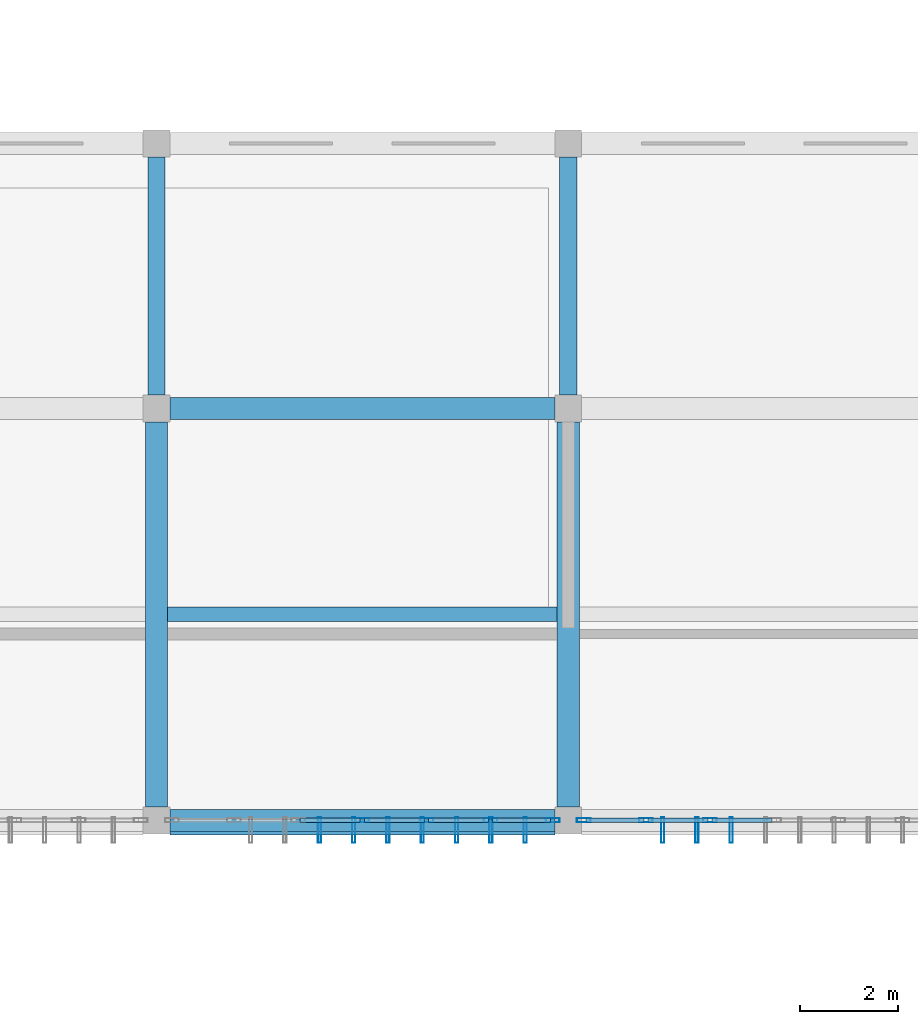
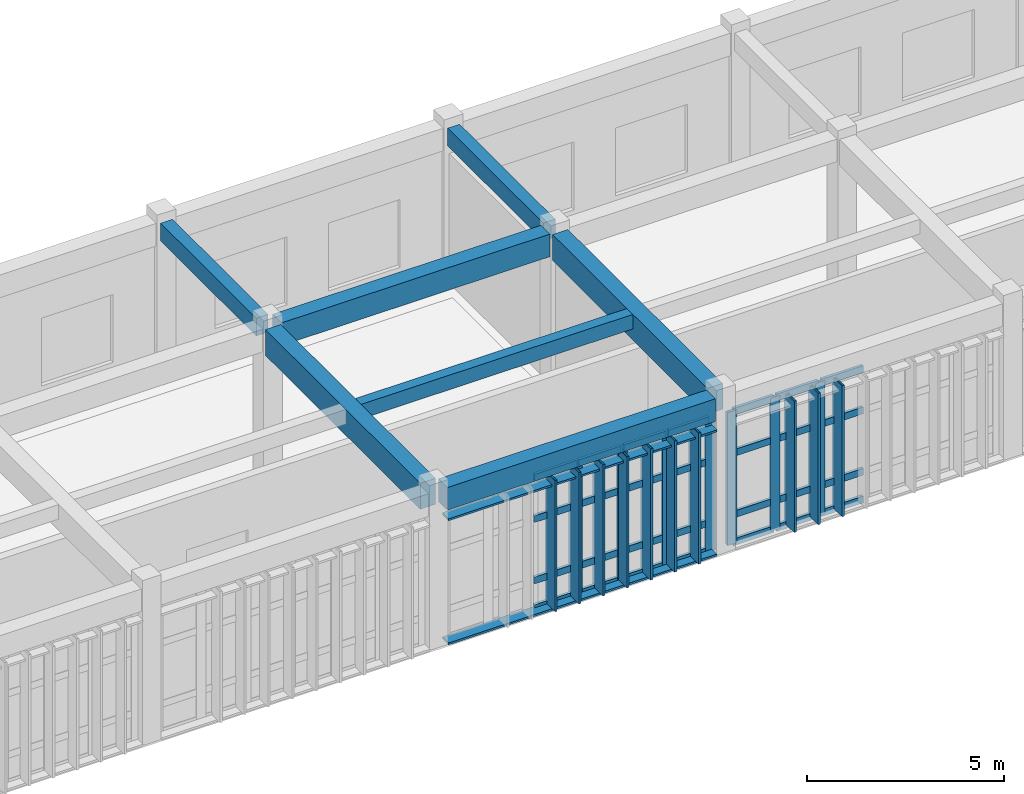
# One storey, part 46 of 106: 47 members, 7 beams, 2 elements without a shape of their own.
"""IFC4 building model written with IfcOpenShell, lengths in metres."""

from ifc_helpers import new_model, si_unit, direction, frame, origin, origin_2d, place, context, subcontext, project, spatial, rectangle, hollow_rectangle, extrude, material, layer, layer_set, material_profile, profile_set, type_object, element, aggregate, save


model = new_model("IFC4")

# Units and contexts
model_context = context("Model", 3, precision=1e-05, world=origin(), true_north=direction((0.0, 1.0)))
body_context = subcontext(model_context, "Body", "Model", "MODEL_VIEW")
ifc_project = project(units=[si_unit("LENGTHUNIT", "METRE"), si_unit("AREAUNIT", "SQUARE_METRE"), si_unit("VOLUMEUNIT", "CUBIC_METRE"), si_unit("PLANEANGLEUNIT", "RADIAN"), si_unit("MASSUNIT", "GRAM", prefix="KILO")], contexts=[model_context])

# Site, building, storey
site_placement = place(None, origin())
site = spatial("IfcSite", under=ifc_project, at=site_placement, CompositionType="ELEMENT")
building_placement = place(site_placement, origin())
building = spatial("IfcBuilding", under=site, at=building_placement, Name="Krzemoval Escarpment Law Courts", CompositionType="ELEMENT")
storey_placement = place(building_placement, frame((0.0, 0.0, 5.10009765625)))
storey = spatial("IfcBuildingStorey", under=building, at=storey_placement, Name="L01", CompositionType="ELEMENT", Elevation=5.10009765625)

# Beams
ifc_material_1 = material(Name="Concrete C40/50", Category="concrete")
ifc_material_profile_1 = material_profile(ifc_material_1, rectangle(XDim=0.35009765625, YDim=0.550048828125, at=origin_2d()), Name="RCB 350x550")
ifc_profile_set_1 = profile_set([ifc_material_profile_1], Name="Concrete C40/50")
beam_type_1 = type_object("IfcBeamType", Name="BM-RC-350x550", PredefinedType="BEAM", material=ifc_profile_set_1)
for number, where, z_axis, x_axis, name in (
    (1, (84.0, 108.27490234375, 4.544921875), (0.0, 1.0, 0.0), (-1.0, 0.0, 0.0), "Beam FG-L01-1481"),
    (2, (92.39990234375, 108.27490234375, 4.544921875), (0.0, 1.0, 0.0), (-1.0, 0.0, 0.0), "Beam FG-L01-1487"),
):
    element("IfcBeam", number, at=place(storey_placement, frame(where, z_axis=z_axis, x_axis=x_axis)), inside=storey, type_object=beam_type_1, Name=name, PredefinedType="BEAM", context=body_context, shape_type="SweptSolid", body=[
        extrude(rectangle(XDim=0.35009765625, YDim=0.550048828125, at=origin_2d()), origin(), (0.0, 0.0, 1.0), 4.85009765625),
    ])
ifc_material_2 = material(Name="Concrete C40/50", Category="concrete")
ifc_material_profile_2 = material_profile(ifc_material_2, rectangle(XDim=0.449951171875, YDim=0.699951171875, at=origin_2d()), Name="RCB 450x700")
ifc_profile_set_2 = profile_set([ifc_material_profile_2], Name="Concrete C40/50")
beam_type_2 = type_object("IfcBeamType", Name="BM-RC-450x700", PredefinedType="BEAM", material=ifc_profile_set_2)
for number, where, z_axis, x_axis, name in (
    (3, (84.27490234375, 99.60009765625, 4.469970703125), (1.0, 0.0, 0.0), (0.0, 1.0, 0.0), "Beam FG-L01-1309"),
    (4, (84.27490234375, 108.0, 4.469970703125), (1.0, 0.0, 0.0), (0.0, 1.0, 0.0), "Beam FG-L01-1328"),
):
    element("IfcBeam", number, at=place(storey_placement, frame(where, z_axis=z_axis, x_axis=x_axis)), inside=storey, type_object=beam_type_2, Name=name, PredefinedType="BEAM", context=body_context, shape_type="SweptSolid", body=[
        extrude(rectangle(XDim=0.449951171875, YDim=0.699951171875, at=origin_2d()), origin(), (0.0, 0.0, 1.0), 7.85009765625),
    ])
ifc_material_3 = material(Name="Concrete C40/50", Category="concrete")
ifc_material_profile_3 = material_profile(ifc_material_3, rectangle(XDim=0.449951171875, YDim=0.800048828125, at=origin_2d()), Name="RCB 450x800")
ifc_profile_set_3 = profile_set([ifc_material_profile_3], Name="Concrete C40/50")
beam_type_3 = type_object("IfcBeamType", Name="BM-RC-450x800", PredefinedType="BEAM", material=ifc_profile_set_3)
for number, where, z_axis, x_axis, name in (
    (5, (84.0, 99.875, 4.419921875), (0.0, 1.0, 0.0), (-1.0, 0.0, 0.0), "Beam FG-L01-1480"),
    (6, (92.39990234375, 99.875, 4.419921875), (0.0, 1.0, 0.0), (-1.0, 0.0, 0.0), "Beam FG-L01-1486"),
):
    element("IfcBeam", number, at=place(storey_placement, frame(where, z_axis=z_axis, x_axis=x_axis)), inside=storey, type_object=beam_type_3, Name=name, PredefinedType="BEAM", context=body_context, shape_type="SweptSolid", body=[
        extrude(rectangle(XDim=0.449951171875, YDim=0.800048828125, at=origin_2d()), origin(), (0.0, 0.0, 1.0), 7.85009765625),
    ])

# Curtain wall, members
ifc_material_4 = material(Name="Aluminium 6063-T6", Category="aluminium")
ifc_layer = layer(ifc_material_4, 0.280029296875)
ifc_layer_set = layer_set([ifc_layer], Name="Aluminium 6063-T6")
curtain_wall_type = type_object("IfcCurtainWallType", Name="CW-HALL-5100", PredefinedType="USERDEFINED", material=ifc_layer_set)
curtain_wall_1_placement = place(storey_placement, origin())
curtain_wall_1 = element("IfcCurtainWall", 7, at=curtain_wall_1_placement, inside=storey, type_object=curtain_wall_type, Name="Unitised Curtain Wall FCW-L01-049", ObjectType="UNITISED_CURTAIN_WALL", PredefinedType="USERDEFINED")
ifc_material_5 = material(Name="Aluminium 6063-T6", Category="aluminium")
ifc_material_profile_4 = material_profile(ifc_material_5, hollow_rectangle(XDim=0.0849609375, YDim=0.280029296875, WallThickness=0.005615234375, at=origin_2d()), Name="ALU M85x280")
ifc_profile_set_4 = profile_set([ifc_material_profile_4], Name="Aluminium 6063-T6")
member_type_1 = type_object("IfcMemberType", Name="CWM-85x280", PredefinedType="MULLION", material=ifc_profile_set_4)
member_1_placement = place(storey_placement, frame((95.291748046875, 99.60009765625, 0.0), z_axis=(0.0, 0.0, 1.0), x_axis=(0.0, -1.0, 0.0)))
member_1 = element("IfcMember", 8, at=member_1_placement, type_object=member_type_1, Name="FCW-L01-049 mullion 5", PredefinedType="MULLION", context=body_context, shape_type="SweptSolid", body=[
    extrude(hollow_rectangle(XDim=0.0849609375, YDim=0.280029296875, WallThickness=0.005615234375, at=origin_2d()), origin(), (0.0, 0.0, 1.0), 4.119873046875),
])
member_2_placement = place(storey_placement, frame((93.9833984375, 99.60009765625, 0.0), z_axis=(0.0, 0.0, 1.0), x_axis=(0.0, -1.0, 0.0)))
member_2 = element("IfcMember", 9, at=member_2_placement, type_object=member_type_1, Name="FCW-L01-049 mullion 6", PredefinedType="MULLION", context=body_context, shape_type="SweptSolid", body=[
    extrude(hollow_rectangle(XDim=0.0849609375, YDim=0.280029296875, WallThickness=0.005615234375, at=origin_2d()), origin(), (0.0, 0.0, 1.0), 4.119873046875),
])
member_3_placement = place(storey_placement, frame((92.717529296875, 99.60009765625, 0.0), z_axis=(0.0, 0.0, 1.0), x_axis=(0.0, -1.0, 0.0)))
member_3 = element("IfcMember", 10, at=member_3_placement, type_object=member_type_1, Name="FCW-L01-049 mullion 7", PredefinedType="MULLION", context=body_context, shape_type="SweptSolid", body=[
    extrude(hollow_rectangle(XDim=0.0849609375, YDim=0.280029296875, WallThickness=0.005615234375, at=origin_2d()), origin(), (0.0, 0.0, 1.0), 4.119873046875),
])

curtain_wall_2_placement = place(storey_placement, origin())
curtain_wall_2 = element("IfcCurtainWall", 11, at=curtain_wall_2_placement, inside=storey, type_object=curtain_wall_type, Name="Unitised Curtain Wall FCW-L01-050", ObjectType="UNITISED_CURTAIN_WALL", PredefinedType="USERDEFINED")
member_4_placement = place(storey_placement, frame((92.08251953125, 99.60009765625, 0.0), z_axis=(0.0, 0.0, 1.0), x_axis=(0.0, -1.0, 0.0)))
member_4 = element("IfcMember", 12, at=member_4_placement, type_object=member_type_1, Name="FCW-L01-050 mullion 1", PredefinedType="MULLION", context=body_context, shape_type="SweptSolid", body=[
    extrude(hollow_rectangle(XDim=0.0849609375, YDim=0.280029296875, WallThickness=0.005615234375, at=origin_2d()), origin(), (0.0, 0.0, 1.0), 4.119873046875),
])
member_5_placement = place(storey_placement, frame((90.816650390625, 99.60009765625, 0.0), z_axis=(0.0, 0.0, 1.0), x_axis=(0.0, -1.0, 0.0)))
member_5 = element("IfcMember", 13, at=member_5_placement, type_object=member_type_1, Name="FCW-L01-050 mullion 2", PredefinedType="MULLION", context=body_context, shape_type="SweptSolid", body=[
    extrude(hollow_rectangle(XDim=0.0849609375, YDim=0.280029296875, WallThickness=0.005615234375, at=origin_2d()), origin(), (0.0, 0.0, 1.0), 4.119873046875),
])
member_6_placement = place(storey_placement, frame((89.50830078125, 99.60009765625, 0.0), z_axis=(0.0, 0.0, 1.0), x_axis=(0.0, -1.0, 0.0)))
member_6 = element("IfcMember", 14, at=member_6_placement, type_object=member_type_1, Name="FCW-L01-050 mullion 3", PredefinedType="MULLION", context=body_context, shape_type="SweptSolid", body=[
    extrude(hollow_rectangle(XDim=0.0849609375, YDim=0.280029296875, WallThickness=0.005615234375, at=origin_2d()), origin(), (0.0, 0.0, 1.0), 4.119873046875),
])
member_7_placement = place(storey_placement, frame((88.199951171875, 99.60009765625, 0.0), z_axis=(0.0, 0.0, 1.0), x_axis=(0.0, -1.0, 0.0)))
member_7 = element("IfcMember", 15, at=member_7_placement, type_object=member_type_1, Name="FCW-L01-050 mullion 4", PredefinedType="MULLION", context=body_context, shape_type="SweptSolid", body=[
    extrude(hollow_rectangle(XDim=0.0849609375, YDim=0.280029296875, WallThickness=0.005615234375, at=origin_2d()), origin(), (0.0, 0.0, 1.0), 4.119873046875),
])

# Member
ifc_material_6 = material(Name="Aluminium 6063-T6", Category="aluminium")
ifc_material_profile_5 = material_profile(ifc_material_6, hollow_rectangle(XDim=0.0849609375, YDim=0.2099609375, WallThickness=0.005615234375, at=origin_2d()), Name="ALU T85x210")
ifc_profile_set_5 = profile_set([ifc_material_profile_5], Name="Aluminium 6063-T6")
member_type_2 = type_object("IfcMemberType", Name="CWT-85x210", PredefinedType="USERDEFINED", material=ifc_profile_set_5)
member_8_placement = place(storey_placement, frame((96.5576171875, 99.60009765625, 0.04248046875), z_axis=(-1.0, 0.0, 0.0), x_axis=(0.0, -1.0, 0.0)))
member_8 = element("IfcMember", 16, at=member_8_placement, type_object=member_type_2, Name="FCW-L01-049 transom 4.1", ObjectType="TRANSOM", PredefinedType="USERDEFINED", context=body_context, shape_type="SweptSolid", body=[
    extrude(hollow_rectangle(XDim=0.0849609375, YDim=0.2099609375, WallThickness=0.005615234375, at=origin_2d()), origin(), (0.0, 0.0, 1.0), 1.223388671875),
])

member_9_placement = place(storey_placement, frame((96.5576171875, 99.60009765625, 0.89990234375), z_axis=(-1.0, 0.0, 0.0), x_axis=(0.0, -1.0, 0.0)))
member_9 = element("IfcMember", 17, at=member_9_placement, type_object=member_type_2, Name="FCW-L01-049 transom 4.2", ObjectType="TRANSOM", PredefinedType="USERDEFINED", context=body_context, shape_type="SweptSolid", body=[
    extrude(hollow_rectangle(XDim=0.0849609375, YDim=0.2099609375, WallThickness=0.005615234375, at=origin_2d()), origin(), (0.0, 0.0, 1.0), 1.223388671875),
])

member_10_placement = place(storey_placement, frame((96.5576171875, 99.60009765625, 2.7998046875), z_axis=(-1.0, 0.0, 0.0), x_axis=(0.0, -1.0, 0.0)))
member_10 = element("IfcMember", 18, at=member_10_placement, type_object=member_type_2, Name="FCW-L01-049 transom 4.3", ObjectType="TRANSOM", PredefinedType="USERDEFINED", context=body_context, shape_type="SweptSolid", body=[
    extrude(hollow_rectangle(XDim=0.0849609375, YDim=0.2099609375, WallThickness=0.005615234375, at=origin_2d()), origin(), (0.0, 0.0, 1.0), 1.223388671875),
])

member_11_placement = place(storey_placement, frame((96.5576171875, 99.60009765625, 4.077392578125), z_axis=(-1.0, 0.0, 0.0), x_axis=(0.0, -1.0, 0.0)))
member_11 = element("IfcMember", 19, at=member_11_placement, type_object=member_type_2, Name="FCW-L01-049 transom 4.4", ObjectType="TRANSOM", PredefinedType="USERDEFINED", context=body_context, shape_type="SweptSolid", body=[
    extrude(hollow_rectangle(XDim=0.0849609375, YDim=0.2099609375, WallThickness=0.005615234375, at=origin_2d()), origin(), (0.0, 0.0, 1.0), 1.223388671875),
])

member_12_placement = place(storey_placement, frame((95.249267578125, 99.60009765625, 0.04248046875), z_axis=(-1.0, 0.0, 0.0), x_axis=(0.0, -1.0, 0.0)))
member_12 = element("IfcMember", 20, at=member_12_placement, type_object=member_type_2, Name="FCW-L01-049 transom 5.1", ObjectType="TRANSOM", PredefinedType="USERDEFINED", context=body_context, shape_type="SweptSolid", body=[
    extrude(hollow_rectangle(XDim=0.0849609375, YDim=0.2099609375, WallThickness=0.005615234375, at=origin_2d()), origin(), (0.0, 0.0, 1.0), 1.223388671875),
])

member_13_placement = place(storey_placement, frame((95.249267578125, 99.60009765625, 0.89990234375), z_axis=(-1.0, 0.0, 0.0), x_axis=(0.0, -1.0, 0.0)))
member_13 = element("IfcMember", 21, at=member_13_placement, type_object=member_type_2, Name="FCW-L01-049 transom 5.2", ObjectType="TRANSOM", PredefinedType="USERDEFINED", context=body_context, shape_type="SweptSolid", body=[
    extrude(hollow_rectangle(XDim=0.0849609375, YDim=0.2099609375, WallThickness=0.005615234375, at=origin_2d()), origin(), (0.0, 0.0, 1.0), 1.223388671875),
])

member_14_placement = place(storey_placement, frame((95.249267578125, 99.60009765625, 2.7998046875), z_axis=(-1.0, 0.0, 0.0), x_axis=(0.0, -1.0, 0.0)))
member_14 = element("IfcMember", 22, at=member_14_placement, type_object=member_type_2, Name="FCW-L01-049 transom 5.3", ObjectType="TRANSOM", PredefinedType="USERDEFINED", context=body_context, shape_type="SweptSolid", body=[
    extrude(hollow_rectangle(XDim=0.0849609375, YDim=0.2099609375, WallThickness=0.005615234375, at=origin_2d()), origin(), (0.0, 0.0, 1.0), 1.223388671875),
])

member_15_placement = place(storey_placement, frame((95.249267578125, 99.60009765625, 4.077392578125), z_axis=(-1.0, 0.0, 0.0), x_axis=(0.0, -1.0, 0.0)))
member_15 = element("IfcMember", 23, at=member_15_placement, type_object=member_type_2, Name="FCW-L01-049 transom 5.4", ObjectType="TRANSOM", PredefinedType="USERDEFINED", context=body_context, shape_type="SweptSolid", body=[
    extrude(hollow_rectangle(XDim=0.0849609375, YDim=0.2099609375, WallThickness=0.005615234375, at=origin_2d()), origin(), (0.0, 0.0, 1.0), 1.223388671875),
])

member_16_placement = place(storey_placement, frame((93.94091796875, 99.60009765625, 0.04248046875), z_axis=(-1.0, 0.0, 0.0), x_axis=(0.0, -1.0, 0.0)))
member_16 = element("IfcMember", 24, at=member_16_placement, type_object=member_type_2, Name="FCW-L01-049 transom 6.1", ObjectType="TRANSOM", PredefinedType="USERDEFINED", context=body_context, shape_type="SweptSolid", body=[
    extrude(hollow_rectangle(XDim=0.0849609375, YDim=0.2099609375, WallThickness=0.005615234375, at=origin_2d()), origin(), (0.0, 0.0, 1.0), 1.180908203125),
])

member_17_placement = place(storey_placement, frame((93.94091796875, 99.60009765625, 0.89990234375), z_axis=(-1.0, 0.0, 0.0), x_axis=(0.0, -1.0, 0.0)))
member_17 = element("IfcMember", 25, at=member_17_placement, type_object=member_type_2, Name="FCW-L01-049 transom 6.2", ObjectType="TRANSOM", PredefinedType="USERDEFINED", context=body_context, shape_type="SweptSolid", body=[
    extrude(hollow_rectangle(XDim=0.0849609375, YDim=0.2099609375, WallThickness=0.005615234375, at=origin_2d()), origin(), (0.0, 0.0, 1.0), 1.180908203125),
])

member_18_placement = place(storey_placement, frame((93.94091796875, 99.60009765625, 2.7998046875), z_axis=(-1.0, 0.0, 0.0), x_axis=(0.0, -1.0, 0.0)))
member_18 = element("IfcMember", 26, at=member_18_placement, type_object=member_type_2, Name="FCW-L01-049 transom 6.3", ObjectType="TRANSOM", PredefinedType="USERDEFINED", context=body_context, shape_type="SweptSolid", body=[
    extrude(hollow_rectangle(XDim=0.0849609375, YDim=0.2099609375, WallThickness=0.005615234375, at=origin_2d()), origin(), (0.0, 0.0, 1.0), 1.180908203125),
])

member_19_placement = place(storey_placement, frame((93.94091796875, 99.60009765625, 4.077392578125), z_axis=(-1.0, 0.0, 0.0), x_axis=(0.0, -1.0, 0.0)))
member_19 = element("IfcMember", 27, at=member_19_placement, type_object=member_type_2, Name="FCW-L01-049 transom 6.4", ObjectType="TRANSOM", PredefinedType="USERDEFINED", context=body_context, shape_type="SweptSolid", body=[
    extrude(hollow_rectangle(XDim=0.0849609375, YDim=0.2099609375, WallThickness=0.005615234375, at=origin_2d()), origin(), (0.0, 0.0, 1.0), 1.180908203125),
])

aggregate(curtain_wall_1, [member_1, member_2, member_3, member_8, member_9, member_10, member_11, member_12, member_13, member_14, member_15, member_16, member_17, member_18, member_19])

member_20_placement = place(storey_placement, frame((92.0400390625, 99.60009765625, 0.04248046875), z_axis=(-1.0, 0.0, 0.0), x_axis=(0.0, -1.0, 0.0)))
member_20 = element("IfcMember", 28, at=member_20_placement, type_object=member_type_2, Name="FCW-L01-050 transom 1.1", ObjectType="TRANSOM", PredefinedType="USERDEFINED", context=body_context, shape_type="SweptSolid", body=[
    extrude(hollow_rectangle(XDim=0.0849609375, YDim=0.2099609375, WallThickness=0.005615234375, at=origin_2d()), origin(), (0.0, 0.0, 1.0), 1.180908203125),
])

member_21_placement = place(storey_placement, frame((92.0400390625, 99.60009765625, 0.89990234375), z_axis=(-1.0, 0.0, 0.0), x_axis=(0.0, -1.0, 0.0)))
member_21 = element("IfcMember", 29, at=member_21_placement, type_object=member_type_2, Name="FCW-L01-050 transom 1.2", ObjectType="TRANSOM", PredefinedType="USERDEFINED", context=body_context, shape_type="SweptSolid", body=[
    extrude(hollow_rectangle(XDim=0.0849609375, YDim=0.2099609375, WallThickness=0.005615234375, at=origin_2d()), origin(), (0.0, 0.0, 1.0), 1.180908203125),
])

member_22_placement = place(storey_placement, frame((92.0400390625, 99.60009765625, 2.7998046875), z_axis=(-1.0, 0.0, 0.0), x_axis=(0.0, -1.0, 0.0)))
member_22 = element("IfcMember", 30, at=member_22_placement, type_object=member_type_2, Name="FCW-L01-050 transom 1.3", ObjectType="TRANSOM", PredefinedType="USERDEFINED", context=body_context, shape_type="SweptSolid", body=[
    extrude(hollow_rectangle(XDim=0.0849609375, YDim=0.2099609375, WallThickness=0.005615234375, at=origin_2d()), origin(), (0.0, 0.0, 1.0), 1.180908203125),
])

member_23_placement = place(storey_placement, frame((92.0400390625, 99.60009765625, 4.077392578125), z_axis=(-1.0, 0.0, 0.0), x_axis=(0.0, -1.0, 0.0)))
member_23 = element("IfcMember", 31, at=member_23_placement, type_object=member_type_2, Name="FCW-L01-050 transom 1.4", ObjectType="TRANSOM", PredefinedType="USERDEFINED", context=body_context, shape_type="SweptSolid", body=[
    extrude(hollow_rectangle(XDim=0.0849609375, YDim=0.2099609375, WallThickness=0.005615234375, at=origin_2d()), origin(), (0.0, 0.0, 1.0), 1.180908203125),
])

member_24_placement = place(storey_placement, frame((90.774169921875, 99.60009765625, 0.04248046875), z_axis=(-1.0, 0.0, 0.0), x_axis=(0.0, -1.0, 0.0)))
member_24 = element("IfcMember", 32, at=member_24_placement, type_object=member_type_2, Name="FCW-L01-050 transom 2.1", ObjectType="TRANSOM", PredefinedType="USERDEFINED", context=body_context, shape_type="SweptSolid", body=[
    extrude(hollow_rectangle(XDim=0.0849609375, YDim=0.2099609375, WallThickness=0.005615234375, at=origin_2d()), origin(), (0.0, 0.0, 1.0), 1.223388671875),
])

member_25_placement = place(storey_placement, frame((90.774169921875, 99.60009765625, 0.89990234375), z_axis=(-1.0, 0.0, 0.0), x_axis=(0.0, -1.0, 0.0)))
member_25 = element("IfcMember", 33, at=member_25_placement, type_object=member_type_2, Name="FCW-L01-050 transom 2.2", ObjectType="TRANSOM", PredefinedType="USERDEFINED", context=body_context, shape_type="SweptSolid", body=[
    extrude(hollow_rectangle(XDim=0.0849609375, YDim=0.2099609375, WallThickness=0.005615234375, at=origin_2d()), origin(), (0.0, 0.0, 1.0), 1.223388671875),
])

member_26_placement = place(storey_placement, frame((90.774169921875, 99.60009765625, 2.7998046875), z_axis=(-1.0, 0.0, 0.0), x_axis=(0.0, -1.0, 0.0)))
member_26 = element("IfcMember", 34, at=member_26_placement, type_object=member_type_2, Name="FCW-L01-050 transom 2.3", ObjectType="TRANSOM", PredefinedType="USERDEFINED", context=body_context, shape_type="SweptSolid", body=[
    extrude(hollow_rectangle(XDim=0.0849609375, YDim=0.2099609375, WallThickness=0.005615234375, at=origin_2d()), origin(), (0.0, 0.0, 1.0), 1.223388671875),
])

member_27_placement = place(storey_placement, frame((90.774169921875, 99.60009765625, 4.077392578125), z_axis=(-1.0, 0.0, 0.0), x_axis=(0.0, -1.0, 0.0)))
member_27 = element("IfcMember", 35, at=member_27_placement, type_object=member_type_2, Name="FCW-L01-050 transom 2.4", ObjectType="TRANSOM", PredefinedType="USERDEFINED", context=body_context, shape_type="SweptSolid", body=[
    extrude(hollow_rectangle(XDim=0.0849609375, YDim=0.2099609375, WallThickness=0.005615234375, at=origin_2d()), origin(), (0.0, 0.0, 1.0), 1.223388671875),
])

member_28_placement = place(storey_placement, frame((89.4658203125, 99.60009765625, 0.04248046875), z_axis=(-1.0, 0.0, 0.0), x_axis=(0.0, -1.0, 0.0)))
member_28 = element("IfcMember", 36, at=member_28_placement, type_object=member_type_2, Name="FCW-L01-050 transom 3.1", ObjectType="TRANSOM", PredefinedType="USERDEFINED", context=body_context, shape_type="SweptSolid", body=[
    extrude(hollow_rectangle(XDim=0.0849609375, YDim=0.2099609375, WallThickness=0.005615234375, at=origin_2d()), origin(), (0.0, 0.0, 1.0), 1.223388671875),
])

member_29_placement = place(storey_placement, frame((89.4658203125, 99.60009765625, 0.89990234375), z_axis=(-1.0, 0.0, 0.0), x_axis=(0.0, -1.0, 0.0)))
member_29 = element("IfcMember", 37, at=member_29_placement, type_object=member_type_2, Name="FCW-L01-050 transom 3.2", ObjectType="TRANSOM", PredefinedType="USERDEFINED", context=body_context, shape_type="SweptSolid", body=[
    extrude(hollow_rectangle(XDim=0.0849609375, YDim=0.2099609375, WallThickness=0.005615234375, at=origin_2d()), origin(), (0.0, 0.0, 1.0), 1.223388671875),
])

member_30_placement = place(storey_placement, frame((89.4658203125, 99.60009765625, 2.7998046875), z_axis=(-1.0, 0.0, 0.0), x_axis=(0.0, -1.0, 0.0)))
member_30 = element("IfcMember", 38, at=member_30_placement, type_object=member_type_2, Name="FCW-L01-050 transom 3.3", ObjectType="TRANSOM", PredefinedType="USERDEFINED", context=body_context, shape_type="SweptSolid", body=[
    extrude(hollow_rectangle(XDim=0.0849609375, YDim=0.2099609375, WallThickness=0.005615234375, at=origin_2d()), origin(), (0.0, 0.0, 1.0), 1.223388671875),
])

member_31_placement = place(storey_placement, frame((89.4658203125, 99.60009765625, 4.077392578125), z_axis=(-1.0, 0.0, 0.0), x_axis=(0.0, -1.0, 0.0)))
member_31 = element("IfcMember", 39, at=member_31_placement, type_object=member_type_2, Name="FCW-L01-050 transom 3.4", ObjectType="TRANSOM", PredefinedType="USERDEFINED", context=body_context, shape_type="SweptSolid", body=[
    extrude(hollow_rectangle(XDim=0.0849609375, YDim=0.2099609375, WallThickness=0.005615234375, at=origin_2d()), origin(), (0.0, 0.0, 1.0), 1.223388671875),
])

member_32_placement = place(storey_placement, frame((88.157470703125, 99.60009765625, 0.04248046875), z_axis=(-1.0, 0.0, 0.0), x_axis=(0.0, -1.0, 0.0)))
member_32 = element("IfcMember", 40, at=member_32_placement, type_object=member_type_2, Name="FCW-L01-050 transom 4.1", ObjectType="TRANSOM", PredefinedType="USERDEFINED", context=body_context, shape_type="SweptSolid", body=[
    extrude(hollow_rectangle(XDim=0.0849609375, YDim=0.2099609375, WallThickness=0.005615234375, at=origin_2d()), origin(), (0.0, 0.0, 1.0), 1.223388671875),
])

member_33_placement = place(storey_placement, frame((88.157470703125, 99.60009765625, 0.89990234375), z_axis=(-1.0, 0.0, 0.0), x_axis=(0.0, -1.0, 0.0)))
member_33 = element("IfcMember", 41, at=member_33_placement, type_object=member_type_2, Name="FCW-L01-050 transom 4.2", ObjectType="TRANSOM", PredefinedType="USERDEFINED", context=body_context, shape_type="SweptSolid", body=[
    extrude(hollow_rectangle(XDim=0.0849609375, YDim=0.2099609375, WallThickness=0.005615234375, at=origin_2d()), origin(), (0.0, 0.0, 1.0), 1.223388671875),
])

member_34_placement = place(storey_placement, frame((88.157470703125, 99.60009765625, 2.7998046875), z_axis=(-1.0, 0.0, 0.0), x_axis=(0.0, -1.0, 0.0)))
member_34 = element("IfcMember", 42, at=member_34_placement, type_object=member_type_2, Name="FCW-L01-050 transom 4.3", ObjectType="TRANSOM", PredefinedType="USERDEFINED", context=body_context, shape_type="SweptSolid", body=[
    extrude(hollow_rectangle(XDim=0.0849609375, YDim=0.2099609375, WallThickness=0.005615234375, at=origin_2d()), origin(), (0.0, 0.0, 1.0), 1.223388671875),
])

member_35_placement = place(storey_placement, frame((88.157470703125, 99.60009765625, 4.077392578125), z_axis=(-1.0, 0.0, 0.0), x_axis=(0.0, -1.0, 0.0)))
member_35 = element("IfcMember", 43, at=member_35_placement, type_object=member_type_2, Name="FCW-L01-050 transom 4.4", ObjectType="TRANSOM", PredefinedType="USERDEFINED", context=body_context, shape_type="SweptSolid", body=[
    extrude(hollow_rectangle(XDim=0.0849609375, YDim=0.2099609375, WallThickness=0.005615234375, at=origin_2d()), origin(), (0.0, 0.0, 1.0), 1.223388671875),
])

aggregate(curtain_wall_2, [member_4, member_5, member_6, member_7, member_20, member_21, member_22, member_23, member_24, member_25, member_26, member_27, member_28, member_29, member_30, member_31, member_32, member_33, member_34, member_35])

# Beam
ifc_material_7 = material(Name="Concrete C40/50", Category="concrete")
ifc_material_profile_6 = material_profile(ifc_material_7, rectangle(XDim=0.300048828125, YDim=0.449951171875, at=origin_2d()), Name="RCB 300x450")
ifc_profile_set_6 = profile_set([ifc_material_profile_6], Name="Concrete C40/50")
beam_type_4 = type_object("IfcBeamType", Name="JST-RC-300x450", PredefinedType="JOIST", material=ifc_profile_set_6)
beam_placement = place(storey_placement, frame((84.22509765625, 103.800048828125, 4.594970703125), z_axis=(1.0, 0.0, 0.0), x_axis=(0.0, 1.0, 0.0)))
element("IfcBeam", 44, at=beam_placement, inside=storey, type_object=beam_type_4, Name="Secondary Joist FJ-L01-1660", PredefinedType="JOIST", context=body_context, shape_type="SweptSolid", body=[
    extrude(rectangle(XDim=0.300048828125, YDim=0.449951171875, at=origin_2d()), origin(), (0.0, 0.0, 1.0), 7.949951171875),
])

# Members
ifc_material_8 = material(Name="Anodised Aluminium Alloy 6063-T6", Category="aluminium")
ifc_material_profile_7 = material_profile(ifc_material_8, hollow_rectangle(XDim=0.06005859375, YDim=0.320068359375, WallThickness=0.00390625, at=origin_2d()), Name="ALU LVR 60x320")
ifc_profile_set_7 = profile_set([ifc_material_profile_7], Name="Anodised Aluminium Alloy 6063-T6")
member_type_3 = type_object("IfcMemberType", Name="LVR-ALU-320", PredefinedType="USERDEFINED", material=ifc_profile_set_7)
for number, where, z_axis, x_axis, name in (
    (45, (92.125, 99.4599609375, 0.02978515625), (-1.0, 0.0, 0.0), (0.0, 0.0, 1.0), "Sunshade Support Rail FSR-L01-0224"),
    (46, (92.125, 99.4599609375, 3.869873046875), (-1.0, 0.0, 0.0), (0.0, 0.0, 1.0), "Sunshade Support Rail FSR-L01-0225"),
):
    element("IfcMember", number, at=place(storey_placement, frame(where, z_axis=z_axis, x_axis=x_axis)), inside=storey, type_object=member_type_3, Name=name, ObjectType="SUNSHADE_LOUVRE", PredefinedType="USERDEFINED", context=body_context, shape_type="SweptSolid", body=[
        extrude(hollow_rectangle(XDim=0.06005859375, YDim=0.320068359375, WallThickness=0.00390625, at=origin_2d()), origin(), (0.0, 0.0, 1.0), 7.85009765625),
    ])
ifc_material_9 = material(Name="Anodised Aluminium Alloy 6063-T6", Category="aluminium")
ifc_material_profile_8 = material_profile(ifc_material_9, hollow_rectangle(XDim=0.06494140625, YDim=0.52001953125, WallThickness=0.00439453125, at=origin_2d()), Name="ALU LVR 65x520")
ifc_profile_set_8 = profile_set([ifc_material_profile_8], Name="Anodised Aluminium Alloy 6063-T6")
member_type_4 = type_object("IfcMemberType", Name="LVR-ALU-520", PredefinedType="USERDEFINED", material=ifc_profile_set_8)
for number, where, z_axis, x_axis, name in (
    (47, (95.72509765625, 99.39990234375, 0.059814453125), (0.0, 0.0, 1.0), (1.0, 0.0, 0.0), "Sunshade Louvre Fin FLV-L01-0221"),
    (48, (95.02490234375, 99.39990234375, 0.059814453125), (0.0, 0.0, 1.0), (1.0, 0.0, 0.0), "Sunshade Louvre Fin FLV-L01-0222"),
    (49, (94.324951171875, 99.39990234375, 0.059814453125), (0.0, 0.0, 1.0), (1.0, 0.0, 0.0), "Sunshade Louvre Fin FLV-L01-0223"),
    (50, (91.52490234375, 99.39990234375, 0.059814453125), (0.0, 0.0, 1.0), (1.0, 0.0, 0.0), "Sunshade Louvre Fin FLV-L01-0226"),
    (51, (90.824951171875, 99.39990234375, 0.059814453125), (0.0, 0.0, 1.0), (1.0, 0.0, 0.0), "Sunshade Louvre Fin FLV-L01-0227"),
    (52, (90.125, 99.39990234375, 0.059814453125), (0.0, 0.0, 1.0), (1.0, 0.0, 0.0), "Sunshade Louvre Fin FLV-L01-0228"),
    (53, (89.425048828125, 99.39990234375, 0.059814453125), (0.0, 0.0, 1.0), (1.0, 0.0, 0.0), "Sunshade Louvre Fin FLV-L01-0229"),
    (54, (88.72509765625, 99.39990234375, 0.059814453125), (0.0, 0.0, 1.0), (1.0, 0.0, 0.0), "Sunshade Louvre Fin FLV-L01-0230"),
    (55, (88.02490234375, 99.39990234375, 0.059814453125), (0.0, 0.0, 1.0), (1.0, 0.0, 0.0), "Sunshade Louvre Fin FLV-L01-0231"),
    (56, (87.324951171875, 99.39990234375, 0.059814453125), (0.0, 0.0, 1.0), (1.0, 0.0, 0.0), "Sunshade Louvre Fin FLV-L01-0232"),
):
    element("IfcMember", number, at=place(storey_placement, frame(where, z_axis=z_axis, x_axis=x_axis)), inside=storey, type_object=member_type_4, Name=name, ObjectType="SUNSHADE_LOUVRE", PredefinedType="USERDEFINED", context=body_context, shape_type="SweptSolid", body=[
        extrude(hollow_rectangle(XDim=0.06494140625, YDim=0.52001953125, WallThickness=0.00439453125, at=origin_2d()), origin(), (0.0, 0.0, 1.0), 4.06005859375),
    ])

save(model, "model.ifc")
